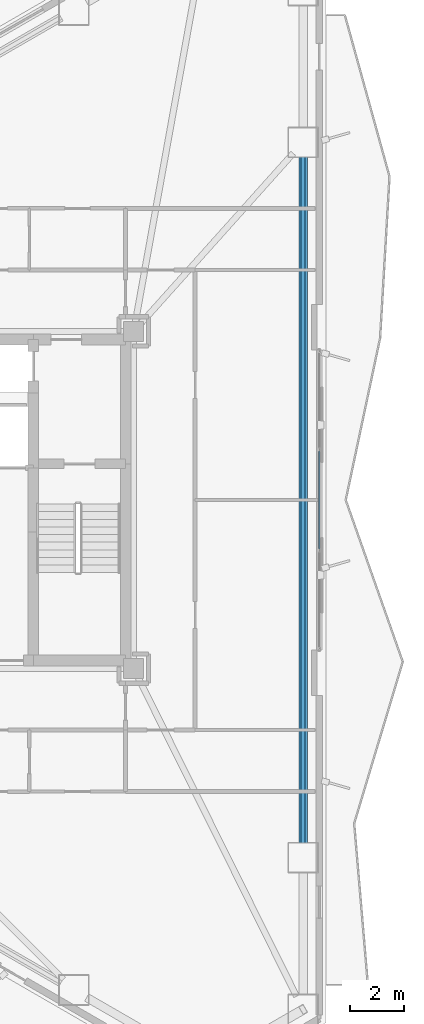
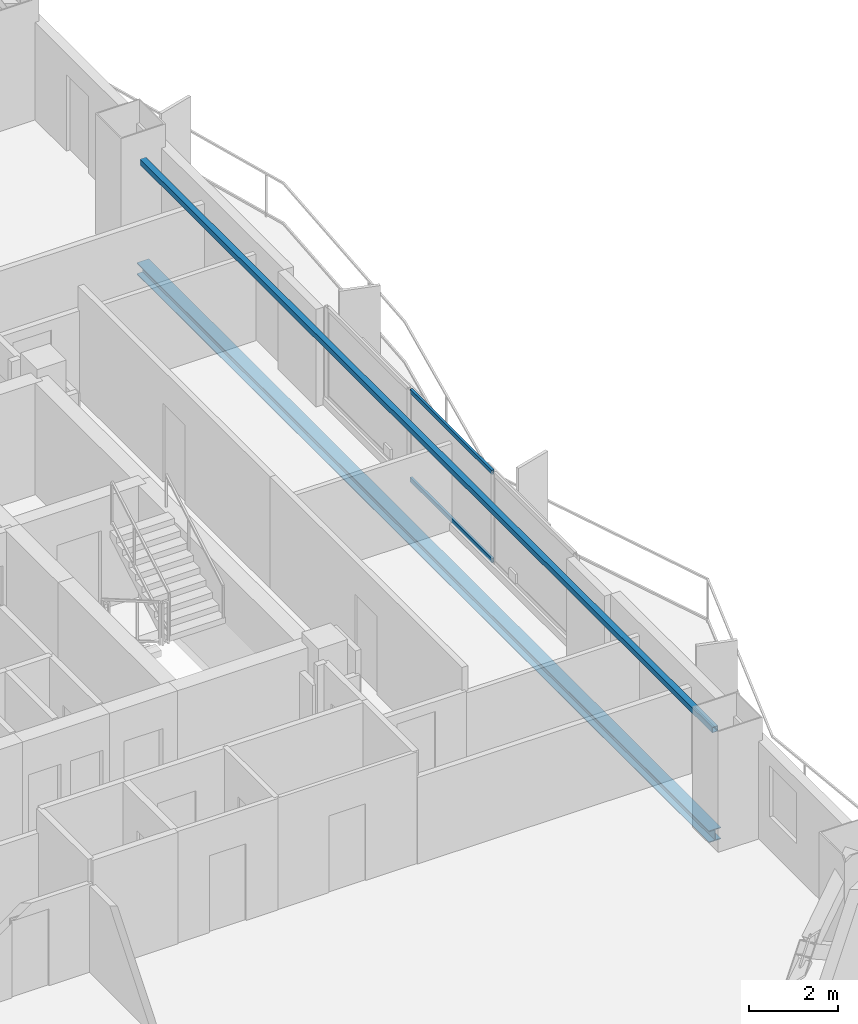
# One storey, part 9 of 22: 2 beams, 2 members, 1 element without a shape of its own.
"""IFC4 building model written with IfcOpenShell, lengths in metres."""

from ifc_helpers import new_model, si_unit, direction, frame, origin, origin_2d, place, context, subcontext, project, spatial, hollow_rectangle, i_section, extrude, material, layer, layer_set, material_profile, profile_set, type_object, element, aggregate, save


model = new_model("IFC4")

# Units and contexts
model_context = context("Model", 3, precision=1e-05, world=origin(), true_north=direction((0.0, 1.0)))
body_context = subcontext(model_context, "Body", "Model", "MODEL_VIEW")
ifc_project = project(units=[si_unit("LENGTHUNIT", "METRE"), si_unit("AREAUNIT", "SQUARE_METRE"), si_unit("VOLUMEUNIT", "CUBIC_METRE"), si_unit("PLANEANGLEUNIT", "RADIAN"), si_unit("MASSUNIT", "GRAM", prefix="KILO")], contexts=[model_context])

# Site, building, storey
site_placement = place(None, origin())
site = spatial("IfcSite", under=ifc_project, at=site_placement, CompositionType="ELEMENT")
building_placement = place(site_placement, origin())
building = spatial("IfcBuilding", under=site, at=building_placement, Name="Mersakhor Tower and Convention Hall", CompositionType="ELEMENT")
storey_placement = place(building_placement, frame((0.0, 0.0, 99.89990234375)))
storey = spatial("IfcBuildingStorey", under=building, at=storey_placement, Name="L27", CompositionType="ELEMENT", Elevation=99.89990234375)

# Beams
ifc_material_1 = material(Name="Steel S355", Category="steel")
ifc_material_profile_1 = material_profile(ifc_material_1, hollow_rectangle(XDim=0.14990234375, YDim=0.14990234375, WallThickness=0.010009765625, at=origin_2d()), Name="SHS 150x150x10")
ifc_profile_set_1 = profile_set([ifc_material_profile_1], Name="Steel S355")
beam_type_1 = type_object("IfcBeamType", Name="BM-GRT-SHS150", PredefinedType="USERDEFINED", material=ifc_profile_set_1)
beam_1_placement = place(storey_placement, frame((42.4345703125, 39.566650390625, 2.47998046875), z_axis=(0.0, -1.0, 0.0), x_axis=(1.0, 0.0, 0.0)))
element("IfcBeam", 1, at=beam_1_placement, inside=storey, type_object=beam_type_1, Name="L27 Facade Support Girt GRT-F2", ObjectType="GIRT", PredefinedType="USERDEFINED", context=body_context, shape_type="SweptSolid", body=[
    extrude(hollow_rectangle(XDim=0.14990234375, YDim=0.14990234375, WallThickness=0.010009765625, at=origin_2d()), origin(), (0.0, 0.0, 1.0), 25.63330078125),
])
ifc_material_2 = material(Name="Steel S355", Category="steel")
ifc_material_profile_2 = material_profile(ifc_material_2, i_section(OverallWidth=0.30908203125, OverallDepth=0.320556640625, WebThickness=0.013916015625, FlangeThickness=0.021728515625, at=origin_2d()), Name="UC 305x305x137")
ifc_profile_set_2 = profile_set([ifc_material_profile_2], Name="Steel S355")
beam_type_2 = type_object("IfcBeamType", Name="BM-SPD-UC305", PredefinedType="SPANDREL", material=ifc_profile_set_2)
beam_2_placement = place(storey_placement, frame((42.4345703125, 39.566650390625, -0.41015625), z_axis=(0.0, -1.0, 0.0), x_axis=(1.0, 0.0, 0.0)))
element("IfcBeam", 2, at=beam_2_placement, inside=storey, type_object=beam_type_2, Name="L27 Perimeter Spandrel Beam SPB-06", PredefinedType="SPANDREL", context=body_context, shape_type="SweptSolid", body=[
    extrude(i_section(OverallWidth=0.30908203125, OverallDepth=0.320556640625, WebThickness=0.013916015625, FlangeThickness=0.021728515625, at=origin_2d()), origin(), (0.0, 0.0, 1.0), 25.63330078125),
])

# Curtain wall, members
ifc_material_3 = material(Name="Dark solar low-E aluminium curtain wall", Category="aluminium")
ifc_layer = layer(ifc_material_3, 0.159912109375)
ifc_layer_set = layer_set([ifc_layer], Name="Dark solar low-E aluminium curtain wall")
curtain_wall_type = type_object("IfcCurtainWallType", Name="CW-SYS-01", PredefinedType="USERDEFINED", material=ifc_layer_set)
curtain_wall_placement = place(storey_placement, origin())
curtain_wall = element("IfcCurtainWall", 3, at=curtain_wall_placement, inside=storey, type_object=curtain_wall_type, Name="L27 Dark-Glass Curtain Wall F2-B2", ObjectType="CURTAIN WALL", PredefinedType="USERDEFINED")
ifc_material_4 = material(Name="Anodised aluminium EN AW-6063 T6", Category="aluminium")
ifc_material_profile_3 = material_profile(ifc_material_4, hollow_rectangle(XDim=0.06005859375, YDim=0.1201171875, WallThickness=0.0048828125, at=origin_2d()), Name="RHS 120x60x5")
ifc_profile_set_3 = profile_set([ifc_material_profile_3], Name="Anodised aluminium EN AW-6063 T6")
member_type = type_object("IfcMemberType", Name="CWT-120x60", PredefinedType="USERDEFINED", material=ifc_profile_set_3)
member_1_placement = place(storey_placement, frame((43.03466796875, 28.583984375, 0.22998046875), z_axis=(0.0, -1.0, 0.0), x_axis=(1.0, 0.0, 0.0)))
member_1 = element("IfcMember", 4, at=member_1_placement, type_object=member_type, Name="CW-01 transom 2.1", ObjectType="TRANSOM", PredefinedType="USERDEFINED", context=body_context, shape_type="SweptSolid", body=[
    extrude(hollow_rectangle(XDim=0.06005859375, YDim=0.1201171875, WallThickness=0.0048828125, at=origin_2d()), origin(), (0.0, 0.0, 1.0), 3.66796875),
])
member_2_placement = place(storey_placement, frame((43.03466796875, 28.583984375, 2.64013671875), z_axis=(0.0, -1.0, 0.0), x_axis=(1.0, 0.0, 0.0)))
member_2 = element("IfcMember", 5, at=member_2_placement, type_object=member_type, Name="CW-01 transom 2.2", ObjectType="TRANSOM", PredefinedType="USERDEFINED", context=body_context, shape_type="SweptSolid", body=[
    extrude(hollow_rectangle(XDim=0.06005859375, YDim=0.1201171875, WallThickness=0.0048828125, at=origin_2d()), origin(), (0.0, 0.0, 1.0), 3.66796875),
])
aggregate(curtain_wall, [member_1, member_2])

save(model, "model.ifc")
